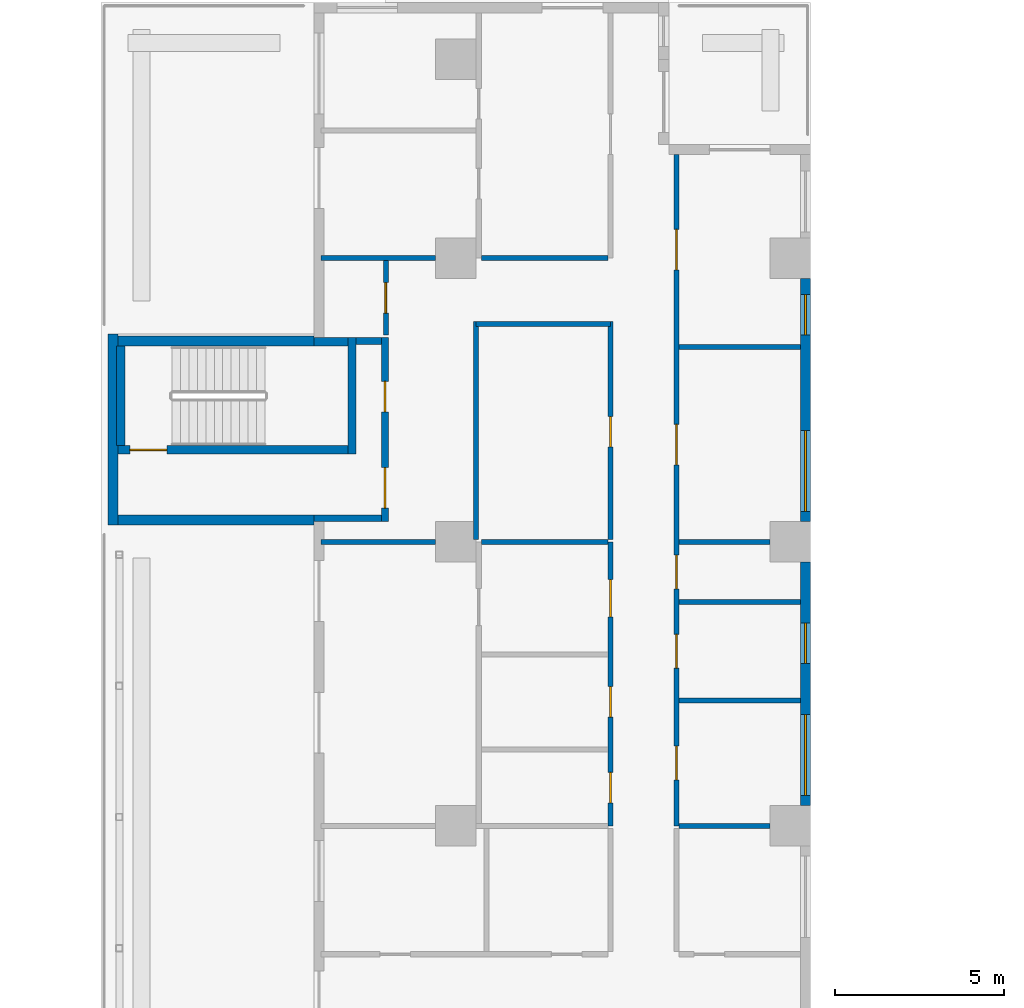
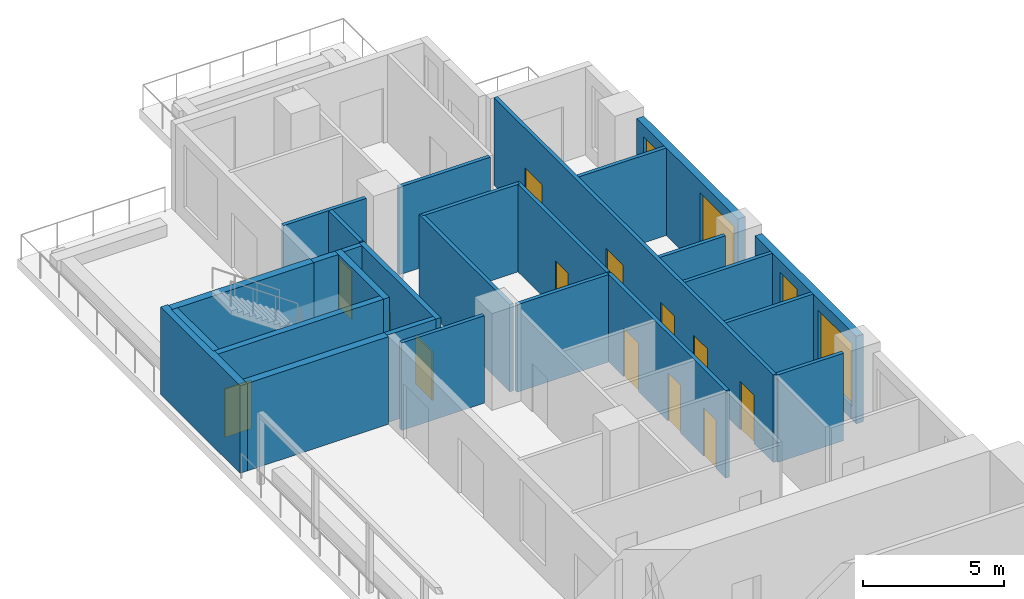
# One storey, part 10 of 18: 27 walls, 13 doors, 4 windows, 17 openings.
"""IFC4 building model written with IfcOpenShell, lengths in metres."""

from ifc_helpers import new_model, si_unit, direction, frame, frame_2d, origin, place, context, subcontext, project, spatial, rectangle, extrude, source, transform, mapped, material, layer, layer_set, type_object, element, fill, save


model = new_model("IFC4")

# Units and contexts
model_context = context("Model", 3, precision=1e-05, world=origin(), true_north=direction((0.0, 1.0)))
body_context = subcontext(model_context, "Body", "Model", "MODEL_VIEW")
ifc_project = project(units=[si_unit("LENGTHUNIT", "METRE"), si_unit("AREAUNIT", "SQUARE_METRE"), si_unit("VOLUMEUNIT", "CUBIC_METRE"), si_unit("PLANEANGLEUNIT", "RADIAN"), si_unit("MASSUNIT", "GRAM", prefix="KILO")], contexts=[model_context])

# Site, building, storey
site_placement = place(None, origin())
site = spatial("IfcSite", under=ifc_project, at=site_placement, CompositionType="ELEMENT")
building_placement = place(site_placement, origin())
building = spatial("IfcBuilding", under=site, at=building_placement, Name="Aurelian Terraces", CompositionType="ELEMENT")
storey_placement = place(building_placement, frame((0.0, 0.0, 99.3)))
storey = spatial("IfcBuildingStorey", under=building, at=storey_placement, Name="L21", CompositionType="ELEMENT", Elevation=99.3)

# Wall
ifc_material_1 = material(Name="Gypsum board on steel studs", Category="steel")
ifc_layer_1 = layer(ifc_material_1, 0.2)
ifc_layer_set_1 = layer_set([ifc_layer_1], Name="Core partition 200")
wall_type_1 = type_object("IfcWallType", Name="Core partition 200", PredefinedType="PARTITIONING", material=ifc_layer_set_1)
wall_1_placement = place(storey_placement, frame((6.3, 38.5, 0.0), z_axis=(0.0, 0.0, 1.0), x_axis=(1.0, 0.0, 0.0)))
element("IfcWall", 1, at=wall_1_placement, inside=storey, type_object=wall_type_1, Name="L21 core wall ST-S3-VW", PredefinedType="PARTITIONING", context=body_context, shape_type="SweptSolid", body=[
    extrude(rectangle(XDim=2.0, YDim=0.2, at=frame_2d((1.0, 0.0))), origin(), (0.0, 0.0, 1.0), 3.8),
])

# Wall, openings, doors
ifc_layer_2 = layer(ifc_material_1, 0.15)
ifc_layer_set_2 = layer_set([ifc_layer_2], Name="Fire partition 150")
wall_type_2 = type_object("IfcWallType", Name="Fire partition 150", PredefinedType="PARTITIONING", material=ifc_layer_set_2)
wall_2_placement = place(storey_placement, frame((17.025, 49.26, 0.0), z_axis=(0.0, 0.0, 1.0), x_axis=(0.0, -1.0, 0.0)))
wall_2 = element("IfcWall", 2, at=wall_2_placement, inside=storey, type_object=wall_type_2, Name="Corridor wall", PredefinedType="PARTITIONING", context=body_context, shape_type="SweptSolid", body=[
    extrude(rectangle(XDim=19.86, YDim=0.15, at=frame_2d((9.93, 0.0))), origin(), (0.0, 0.0, 1.0), 3.8),
])
shared_shape_1 = source(origin(), body_context, "Body", "SweptSolid", [
    extrude(rectangle(XDim=1.0, YDim=2.1, at=frame_2d((0.5, 1.05))), frame((0.0, 0.085, 0.0), z_axis=(0.0, -1.0, 0.0), x_axis=(1.0, 0.0, 0.0)), (0.0, 0.0, 1.0), 0.17),
])
opening_1_placement = place(wall_2_placement, frame((17.5033, 0.0, 0.0)))
opening_1 = element("IfcOpeningElement", 3, at=opening_1_placement, cuts=wall_2, Name="Opening 721036", PredefinedType="OPENING", context=body_context, shape_type="MappedRepresentation", body=[
    mapped(shared_shape_1, transform((0.0, 0.0, 0.0), scale=1.0)),
])
opening_2_placement = place(wall_2_placement, frame((14.1914, 0.0, 0.0)))
opening_2 = element("IfcOpeningElement", 4, at=opening_2_placement, cuts=wall_2, Name="Opening 721037", PredefinedType="OPENING", context=body_context, shape_type="MappedRepresentation", body=[
    mapped(shared_shape_1, transform((0.0, 0.0, 0.0), scale=1.0)),
])
opening_3_placement = place(wall_2_placement, frame((11.848, 0.0, 0.0)))
opening_3 = element("IfcOpeningElement", 5, at=opening_3_placement, cuts=wall_2, Name="Opening 721038", PredefinedType="OPENING", context=body_context, shape_type="MappedRepresentation", body=[
    mapped(shared_shape_1, transform((0.0, 0.0, 0.0), scale=1.0)),
])
shared_shape_2 = source(origin(), body_context, "Body", "SweptSolid", [
    extrude(rectangle(XDim=1.2, YDim=2.1, at=frame_2d((0.6, 1.05))), frame((0.0, 0.085, 0.0), z_axis=(0.0, -1.0, 0.0), x_axis=(1.0, 0.0, 0.0)), (0.0, 0.0, 1.0), 0.17),
])
opening_4_placement = place(wall_2_placement, frame((7.9762, 0.0, 0.0)))
opening_4 = element("IfcOpeningElement", 6, at=opening_4_placement, cuts=wall_2, Name="Opening 721039", PredefinedType="OPENING", context=body_context, shape_type="MappedRepresentation", body=[
    mapped(shared_shape_2, transform((0.0, 0.0, 0.0), scale=1.0)),
])
opening_5_placement = place(wall_2_placement, frame((2.2088, 0.0, 0.0)))
opening_5 = element("IfcOpeningElement", 7, at=opening_5_placement, cuts=wall_2, Name="Opening 721040", PredefinedType="OPENING", context=body_context, shape_type="MappedRepresentation", body=[
    mapped(shared_shape_2, transform((0.0, 0.0, 0.0), scale=1.0)),
])
ifc_material_2 = material(Name="Timber door leaf", Category="wood")
door_type_1 = type_object("IfcDoorType", Name="Room door 1000x2100 right", OperationType="SINGLE_SWING_RIGHT", PredefinedType="DOOR", material=ifc_material_2)
shared_shape_3 = source(origin(), body_context, "Body", "SweptSolid", [
    extrude(rectangle(XDim=1.0, YDim=2.1, at=frame_2d((0.5, 1.05))), frame((0.0, 0.025, 0.0), z_axis=(0.0, -1.0, 0.0), x_axis=(1.0, 0.0, 0.0)), (0.0, 0.0, 1.0), 0.05),
])
door_1_placement = place(opening_1_placement, origin())
door_1 = element("IfcDoor", 8, at=door_1_placement, inside=storey, type_object=door_type_1, Name="Door 721036", OperationType="SINGLE_SWING_RIGHT", OverallHeight=2.1, OverallWidth=1.0, PredefinedType="DOOR", context=body_context, shape_type="MappedRepresentation", body=[
    mapped(shared_shape_3, transform((0.0, 0.0, 0.0), scale=1.0)),
])
fill(opening_1, door_1)
door_type_2 = type_object("IfcDoorType", Name="Room door 1000x2100 left", OperationType="SINGLE_SWING_LEFT", PredefinedType="DOOR", material=ifc_material_2)
door_2_placement = place(opening_2_placement, origin())
door_2 = element("IfcDoor", 9, at=door_2_placement, inside=storey, type_object=door_type_2, Name="Door 721037", OperationType="SINGLE_SWING_LEFT", OverallHeight=2.1, OverallWidth=1.0, PredefinedType="DOOR", context=body_context, shape_type="MappedRepresentation", body=[
    mapped(shared_shape_3, transform((0.0, 0.0, 0.0), scale=1.0)),
])
fill(opening_2, door_2)
door_3_placement = place(opening_3_placement, origin())
door_3 = element("IfcDoor", 10, at=door_3_placement, inside=storey, type_object=door_type_1, Name="Door 721038", OperationType="SINGLE_SWING_RIGHT", OverallHeight=2.1, OverallWidth=1.0, PredefinedType="DOOR", context=body_context, shape_type="MappedRepresentation", body=[
    mapped(shared_shape_3, transform((0.0, 0.0, 0.0), scale=1.0)),
])
fill(opening_3, door_3)
door_type_3 = type_object("IfcDoorType", Name="Room door 1200x2100 right", OperationType="SINGLE_SWING_RIGHT", PredefinedType="DOOR", material=ifc_material_2)
shared_shape_4 = source(origin(), body_context, "Body", "SweptSolid", [
    extrude(rectangle(XDim=1.2, YDim=2.1, at=frame_2d((0.6, 1.05))), frame((0.0, 0.025, 0.0), z_axis=(0.0, -1.0, 0.0), x_axis=(1.0, 0.0, 0.0)), (0.0, 0.0, 1.0), 0.05),
])
door_4_placement = place(opening_4_placement, origin())
door_4 = element("IfcDoor", 11, at=door_4_placement, inside=storey, type_object=door_type_3, Name="Door 721039", OperationType="SINGLE_SWING_RIGHT", OverallHeight=2.1, OverallWidth=1.2, PredefinedType="DOOR", context=body_context, shape_type="MappedRepresentation", body=[
    mapped(shared_shape_4, transform((0.0, 0.0, 0.0), scale=1.0)),
])
fill(opening_4, door_4)
door_type_4 = type_object("IfcDoorType", Name="Room door 1200x2100 left", OperationType="SINGLE_SWING_LEFT", PredefinedType="DOOR", material=ifc_material_2)
door_5_placement = place(opening_5_placement, origin())
door_5 = element("IfcDoor", 12, at=door_5_placement, inside=storey, type_object=door_type_4, Name="Door 721040", OperationType="SINGLE_SWING_LEFT", OverallHeight=2.1, OverallWidth=1.2, PredefinedType="DOOR", context=body_context, shape_type="MappedRepresentation", body=[
    mapped(shared_shape_4, transform((0.0, 0.0, 0.0), scale=1.0)),
])
fill(opening_5, door_5)

# Walls
ifc_material_3 = material(Name="Concrete fc' 40 MPa", Category="concrete")
ifc_layer_3 = layer(ifc_material_3, 0.3)
ifc_layer_set_3 = layer_set([ifc_layer_3], Name="STAIR BAY WALL 300")
wall_type_3 = type_object("IfcWallType", Name="STAIR BAY WALL 300", PredefinedType="SOLIDWALL", material=ifc_layer_set_3)
wall_3_placement = place(storey_placement, frame((6.3, 43.75, 0.0), z_axis=(0.0, 0.0, 1.0), x_axis=(-1.0, 0.0, 0.0)))
element("IfcWall", 13, at=wall_3_placement, inside=storey, type_object=wall_type_3, Name="Stair bay wall L21 F17.32", PredefinedType="SOLIDWALL", context=body_context, shape_type="SweptSolid", body=[
    extrude(rectangle(XDim=6.1, YDim=0.3, at=frame_2d((3.05, 0.0))), origin(), (0.0, 0.0, 1.0), 3.8),
])
wall_4_placement = place(storey_placement, frame((0.35, 43.95, 0.0), z_axis=(0.0, 0.0, 1.0), x_axis=(0.0, -1.0, 0.0)))
element("IfcWall", 14, at=wall_4_placement, inside=storey, type_object=wall_type_3, Name="Stair bay wall L21 F18.33", PredefinedType="SOLIDWALL", context=body_context, shape_type="SweptSolid", body=[
    extrude(rectangle(XDim=5.65, YDim=0.3, at=frame_2d((2.825, 0.0))), origin(), (0.0, 0.0, 1.0), 3.8),
])
ifc_layer_4 = layer(ifc_material_3, 0.25)
ifc_layer_set_4 = layer_set([ifc_layer_4], Name="Stair enclosure wall 250")
wall_type_4 = type_object("IfcWallType", Name="Stair enclosure wall 250", PredefinedType="SOLIDWALL", material=ifc_layer_set_4)
wall_5_placement = place(storey_placement, frame((6.3, 43.725, 0.0), z_axis=(0.0, 0.0, 1.0), x_axis=(1.0, 0.0, 0.0)))
element("IfcWall", 15, at=wall_5_placement, inside=storey, type_object=wall_type_4, Name="L21 core wall ST-S3-E", PredefinedType="SOLIDWALL", context=body_context, shape_type="SweptSolid", body=[
    extrude(rectangle(XDim=1.0, YDim=0.25, at=frame_2d((0.5, 0.0))), origin(), (0.0, 0.0, 1.0), 3.8),
])

# Wall, openings, windows
ifc_material_4 = material(Name="Terracotta rainscreen cladding", Category="masonry")
ifc_layer_5 = layer(ifc_material_4, 0.3)
ifc_layer_set_5 = layer_set([ifc_layer_5], Name="EW-300")
wall_type_5 = type_object("IfcWallType", Name="EW-300", PredefinedType="STANDARD", material=ifc_layer_set_5)
shared_shape_5 = source(origin(), body_context, "Body", "SweptSolid", [
    extrude(rectangle(XDim=7.2, YDim=0.3, at=frame_2d((3.6, 0.0))), origin(), (0.0, 0.0, 1.0), 3.8),
])
wall_6_placement = place(storey_placement, frame((20.85, 30.0, 0.0), z_axis=(0.0, 0.0, 1.0), x_axis=(0.0, 1.0, 0.0)))
wall_6 = element("IfcWall", 16, at=wall_6_placement, inside=storey, type_object=wall_type_5, Name="External wall L21 F12.24", PredefinedType="STANDARD", context=body_context, shape_type="MappedRepresentation", body=[
    mapped(shared_shape_5, transform((0.0, 0.0, 0.0), scale=1.0)),
])
shared_shape_6 = source(origin(), body_context, "Body", "SweptSolid", [
    extrude(rectangle(XDim=2.4, YDim=2.7, at=frame_2d((1.2, 1.35))), frame((0.0, 0.16, 0.0), z_axis=(0.0, -1.0, 0.0), x_axis=(1.0, 0.0, 0.0)), (0.0, 0.0, 1.0), 0.32),
])
opening_6_placement = place(wall_6_placement, frame((0.3, 0.0, 0.6)))
opening_6 = element("IfcOpeningElement", 17, at=opening_6_placement, cuts=wall_6, Name="Opening W2427", PredefinedType="OPENING", context=body_context, shape_type="MappedRepresentation", body=[
    mapped(shared_shape_6, transform((0.0, 0.0, 0.0), scale=1.0)),
])
shared_shape_7 = source(origin(), body_context, "Body", "SweptSolid", [
    extrude(rectangle(XDim=1.2, YDim=2.7, at=frame_2d((0.6, 1.35))), frame((0.0, 0.16, 0.0), z_axis=(0.0, -1.0, 0.0), x_axis=(1.0, 0.0, 0.0)), (0.0, 0.0, 1.0), 0.32),
])
opening_7_placement = place(wall_6_placement, frame((4.1995, 0.0, 0.6)))
opening_7 = element("IfcOpeningElement", 18, at=opening_7_placement, cuts=wall_6, Name="Opening W1227", PredefinedType="OPENING", context=body_context, shape_type="MappedRepresentation", body=[
    mapped(shared_shape_7, transform((0.0, 0.0, 0.0), scale=1.0)),
])
ifc_material_5 = material(Name="Clear glazing", Category="glass")
window_type_1 = type_object("IfcWindowType", Name="W-2400x2700", PartitioningType="SINGLE_PANEL", PredefinedType="WINDOW", material=ifc_material_5)
shared_shape_8 = source(origin(), body_context, "Body", "SweptSolid", [
    extrude(rectangle(XDim=2.4, YDim=2.7, at=frame_2d((1.2, 1.35))), frame((0.0, 0.03, 0.0), z_axis=(0.0, -1.0, 0.0), x_axis=(1.0, 0.0, 0.0)), (0.0, 0.0, 1.0), 0.06),
])
window_1_placement = place(opening_6_placement, origin())
window_1 = element("IfcWindow", 19, at=window_1_placement, inside=storey, type_object=window_type_1, Name="Window L21 L21-F12-24-0", OverallHeight=2.7, OverallWidth=2.4, PartitioningType="SINGLE_PANEL", PredefinedType="WINDOW", context=body_context, shape_type="MappedRepresentation", body=[
    mapped(shared_shape_8, transform((0.0, 0.0, 0.0), scale=1.0)),
])
fill(opening_6, window_1)
window_type_2 = type_object("IfcWindowType", Name="W-1200x2700", PartitioningType="SINGLE_PANEL", PredefinedType="WINDOW", material=ifc_material_5)
shared_shape_9 = source(origin(), body_context, "Body", "SweptSolid", [
    extrude(rectangle(XDim=1.2, YDim=2.7, at=frame_2d((0.6, 1.35))), frame((0.0, 0.03, 0.0), z_axis=(0.0, -1.0, 0.0), x_axis=(1.0, 0.0, 0.0)), (0.0, 0.0, 1.0), 0.06),
])
window_2_placement = place(opening_7_placement, origin())
window_2 = element("IfcWindow", 20, at=window_2_placement, inside=storey, type_object=window_type_2, Name="Window L21 L21-F12-24-G0-33", OverallHeight=2.7, OverallWidth=1.2, PartitioningType="SINGLE_PANEL", PredefinedType="WINDOW", context=body_context, shape_type="MappedRepresentation", body=[
    mapped(shared_shape_9, transform((0.0, 0.0, 0.0), scale=1.0)),
])
fill(opening_7, window_2)

wall_7_placement = place(storey_placement, frame((20.85, 38.4, 0.0), z_axis=(0.0, 0.0, 1.0), x_axis=(0.0, 1.0, 0.0)))
wall_7 = element("IfcWall", 21, at=wall_7_placement, inside=storey, type_object=wall_type_5, Name="External wall L21 F12.25", PredefinedType="STANDARD", context=body_context, shape_type="MappedRepresentation", body=[
    mapped(shared_shape_5, transform((0.0, 0.0, 0.0), scale=1.0)),
])
opening_8_placement = place(wall_7_placement, frame((0.3, 0.0, 0.6)))
opening_8 = element("IfcOpeningElement", 22, at=opening_8_placement, cuts=wall_7, Name="Opening W2427", PredefinedType="OPENING", context=body_context, shape_type="MappedRepresentation", body=[
    mapped(shared_shape_6, transform((0.0, 0.0, 0.0), scale=1.0)),
])
opening_9_placement = place(wall_7_placement, frame((5.5215, 0.0, 0.6)))
opening_9 = element("IfcOpeningElement", 23, at=opening_9_placement, cuts=wall_7, Name="Opening W1227", PredefinedType="OPENING", context=body_context, shape_type="MappedRepresentation", body=[
    mapped(shared_shape_7, transform((0.0, 0.0, 0.0), scale=1.0)),
])
window_3_placement = place(opening_8_placement, origin())
window_3 = element("IfcWindow", 24, at=window_3_placement, inside=storey, type_object=window_type_1, Name="Window L21 L21-F12-25-0", OverallHeight=2.7, OverallWidth=2.4, PartitioningType="SINGLE_PANEL", PredefinedType="WINDOW", context=body_context, shape_type="MappedRepresentation", body=[
    mapped(shared_shape_8, transform((0.0, 0.0, 0.0), scale=1.0)),
])
fill(opening_8, window_3)
window_4_placement = place(opening_9_placement, origin())
window_4 = element("IfcWindow", 25, at=window_4_placement, inside=storey, type_object=window_type_2, Name="Window L21 L21-F12-25-1", OverallHeight=2.7, OverallWidth=1.2, PartitioningType="SINGLE_PANEL", PredefinedType="WINDOW", context=body_context, shape_type="MappedRepresentation", body=[
    mapped(shared_shape_9, transform((0.0, 0.0, 0.0), scale=1.0)),
])
fill(opening_9, window_4)

# Wall
shared_shape_10 = source(origin(), body_context, "Body", "SweptSolid", [
    extrude(rectangle(XDim=6.1, YDim=0.3, at=frame_2d((3.05, 0.0))), origin(), (0.0, 0.0, 1.0), 3.8),
])
wall_8_placement = place(storey_placement, frame((0.2, 38.45, 0.0), z_axis=(0.0, 0.0, 1.0), x_axis=(1.0, 0.0, 0.0)))
element("IfcWall", 26, at=wall_8_placement, inside=storey, type_object=wall_type_3, Name="Stair bay wall L21 F19.34", PredefinedType="SOLIDWALL", context=body_context, shape_type="MappedRepresentation", body=[
    mapped(shared_shape_10, transform((0.0, 0.0, 0.0), scale=1.0)),
])

# Wall, opening, door
shared_shape_11 = source(origin(), body_context, "Body", "SweptSolid", [
    extrude(rectangle(XDim=7.0, YDim=0.25, at=frame_2d((3.5, 0.0))), origin(), (0.0, 0.0, 1.0), 3.8),
])
wall_9_placement = place(storey_placement, frame((0.3, 40.525, 0.0), z_axis=(0.0, 0.0, 1.0), x_axis=(1.0, 0.0, 0.0)))
wall_9 = element("IfcWall", 27, at=wall_9_placement, inside=storey, type_object=wall_type_4, Name="L21 core wall ST-S3-W", PredefinedType="SOLIDWALL", context=body_context, shape_type="MappedRepresentation", body=[
    mapped(shared_shape_11, transform((0.0, 0.0, 0.0), scale=1.0)),
])
shared_shape_12 = source(origin(), body_context, "Body", "SweptSolid", [
    extrude(rectangle(XDim=1.1, YDim=2.1, at=frame_2d((0.55, 1.05))), frame((0.0, 0.135, 0.0), z_axis=(0.0, -1.0, 0.0), x_axis=(1.0, 0.0, 0.0)), (0.0, 0.0, 1.0), 0.27),
])
opening_10_placement = place(wall_9_placement, frame((0.55, 0.0, 0.0)))
opening_10 = element("IfcOpeningElement", 28, at=opening_10_placement, cuts=wall_9, Name="Opening 62417", PredefinedType="OPENING", context=body_context, shape_type="MappedRepresentation", body=[
    mapped(shared_shape_12, transform((0.0, 0.0, 0.0), scale=1.0)),
])
ifc_material_6 = material(Name="Steel door leaf", Category="steel")
door_type_5 = type_object("IfcDoorType", Name="Core fire door 1100x2100 right", OperationType="SINGLE_SWING_RIGHT", PredefinedType="DOOR", material=ifc_material_6)
shared_shape_13 = source(origin(), body_context, "Body", "SweptSolid", [
    extrude(rectangle(XDim=1.1, YDim=2.1, at=frame_2d((0.55, 1.05))), frame((0.0, 0.025, 0.0), z_axis=(0.0, -1.0, 0.0), x_axis=(1.0, 0.0, 0.0)), (0.0, 0.0, 1.0), 0.05),
])
door_6_placement = place(opening_10_placement, origin())
door_6 = element("IfcDoor", 29, at=door_6_placement, inside=storey, type_object=door_type_5, Name="Stair door 62417", OperationType="SINGLE_SWING_RIGHT", OverallHeight=2.1, OverallWidth=1.1, PredefinedType="DOOR", context=body_context, shape_type="MappedRepresentation", body=[
    mapped(shared_shape_13, transform((0.0, 0.0, 0.0), scale=1.0)),
])
fill(opening_10, door_6)

# Walls
shared_shape_14 = source(origin(), body_context, "Body", "SweptSolid", [
    extrude(rectangle(XDim=3.45, YDim=0.25, at=frame_2d((1.725, 0.0))), origin(), (0.0, 0.0, 1.0), 3.8),
])
wall_10_placement = place(storey_placement, frame((7.425, 40.4, 0.0), z_axis=(0.0, 0.0, 1.0), x_axis=(0.0, 1.0, 0.0)))
element("IfcWall", 30, at=wall_10_placement, inside=storey, type_object=wall_type_4, Name="L21 core wall ST-S3-N", PredefinedType="SOLIDWALL", context=body_context, shape_type="MappedRepresentation", body=[
    mapped(shared_shape_14, transform((0.0, 0.0, 0.0), scale=1.0)),
])
shared_shape_15 = source(origin(), body_context, "Body", "SweptSolid", [
    extrude(rectangle(XDim=2.95, YDim=0.25, at=frame_2d((1.475, 0.0))), origin(), (0.0, 0.0, 1.0), 3.8),
])
wall_11_placement = place(storey_placement, frame((0.575, 40.65, 0.0), z_axis=(0.0, 0.0, 1.0), x_axis=(0.0, 1.0, 0.0)))
element("IfcWall", 31, at=wall_11_placement, inside=storey, type_object=wall_type_4, Name="L21 core wall ST-S3-SS", PredefinedType="SOLIDWALL", context=body_context, shape_type="MappedRepresentation", body=[
    mapped(shared_shape_15, transform((0.0, 0.0, 0.0), scale=1.0)),
])

# Wall, openings, doors
shared_shape_16 = source(origin(), body_context, "Body", "SweptSolid", [
    extrude(rectangle(XDim=5.45, YDim=0.2, at=frame_2d((2.725, 0.0))), origin(), (0.0, 0.0, 1.0), 3.8),
])
wall_12_placement = place(storey_placement, frame((8.4, 38.4, 0.0), z_axis=(0.0, 0.0, 1.0), x_axis=(0.0, 1.0, 0.0)))
wall_12 = element("IfcWall", 32, at=wall_12_placement, inside=storey, type_object=wall_type_1, Name="L21 core wall ST-S3-BN", PredefinedType="PARTITIONING", context=body_context, shape_type="MappedRepresentation", body=[
    mapped(shared_shape_16, transform((0.0, 0.0, 0.0), scale=1.0)),
])
shared_shape_17 = source(origin(), body_context, "Body", "SweptSolid", [
    extrude(rectangle(XDim=1.2, YDim=2.1, at=frame_2d((0.6, 1.05))), frame((0.0, 0.11, 0.0), z_axis=(0.0, -1.0, 0.0), x_axis=(1.0, 0.0, 0.0)), (0.0, 0.0, 1.0), 0.22),
])
opening_11_placement = place(wall_12_placement, frame((0.4, 0.0, 0.0)))
opening_11 = element("IfcOpeningElement", 33, at=opening_11_placement, cuts=wall_12, Name="Opening 62418", PredefinedType="OPENING", context=body_context, shape_type="MappedRepresentation", body=[
    mapped(shared_shape_17, transform((0.0, 0.0, 0.0), scale=1.0)),
])
shared_shape_18 = source(origin(), body_context, "Body", "SweptSolid", [
    extrude(rectangle(XDim=0.9, YDim=2.1, at=frame_2d((0.45, 1.05))), frame((0.0, 0.11, 0.0), z_axis=(0.0, -1.0, 0.0), x_axis=(1.0, 0.0, 0.0)), (0.0, 0.0, 1.0), 0.22),
])
opening_12_placement = place(wall_12_placement, frame((3.25, 0.0, 0.0)))
opening_12 = element("IfcOpeningElement", 34, at=opening_12_placement, cuts=wall_12, Name="Opening 62419", PredefinedType="OPENING", context=body_context, shape_type="MappedRepresentation", body=[
    mapped(shared_shape_18, transform((0.0, 0.0, 0.0), scale=1.0)),
])
door_type_6 = type_object("IfcDoorType", Name="Core riser door 900x2100 right", OperationType="SINGLE_SWING_RIGHT", PredefinedType="DOOR", material=ifc_material_6)
shared_shape_19 = source(origin(), body_context, "Body", "SweptSolid", [
    extrude(rectangle(XDim=0.9, YDim=2.1, at=frame_2d((0.45, 1.05))), frame((0.0, 0.025, 0.0), z_axis=(0.0, -1.0, 0.0), x_axis=(1.0, 0.0, 0.0)), (0.0, 0.0, 1.0), 0.05),
])
door_7_placement = place(opening_12_placement, origin())
door_7 = element("IfcDoor", 35, at=door_7_placement, inside=storey, type_object=door_type_6, Name="Riser door 62419", OperationType="SINGLE_SWING_RIGHT", OverallHeight=2.1, OverallWidth=0.9, PredefinedType="DOOR", context=body_context, shape_type="MappedRepresentation", body=[
    mapped(shared_shape_19, transform((0.0, 0.0, 0.0), scale=1.0)),
])
fill(opening_12, door_7)
door_type_7 = type_object("IfcDoorType", Name="Core fire door 1200x2100", OperationType="SINGLE_SWING_LEFT", PredefinedType="DOOR", material=ifc_material_6)
door_8_placement = place(opening_11_placement, origin())
door_8 = element("IfcDoor", 36, at=door_8_placement, inside=storey, type_object=door_type_7, Name="Vestibule door 62418", OperationType="SINGLE_SWING_LEFT", OverallHeight=2.1, OverallWidth=1.2, PredefinedType="DOOR", context=body_context, shape_type="MappedRepresentation", body=[
    mapped(shared_shape_4, transform((0.0, 0.0, 0.0), scale=1.0)),
])
fill(opening_11, door_8)

# Walls
shared_shape_20 = source(origin(), body_context, "Body", "SweptSolid", [
    extrude(rectangle(XDim=0.75, YDim=0.2, at=frame_2d((0.375, 0.0))), origin(), (0.0, 0.0, 1.0), 3.8),
])
wall_13_placement = place(storey_placement, frame((7.55, 43.75, 0.0), z_axis=(0.0, 0.0, 1.0), x_axis=(1.0, 0.0, 0.0)))
element("IfcWall", 37, at=wall_13_placement, inside=storey, type_object=wall_type_1, Name="L21 core wall ST-S3-RE", PredefinedType="PARTITIONING", context=body_context, shape_type="MappedRepresentation", body=[
    mapped(shared_shape_20, transform((0.0, 0.0, 0.0), scale=1.0)),
])
ifc_layer_6 = layer(ifc_material_1, 0.15)
ifc_layer_set_6 = layer_set([ifc_layer_6], Name="Partition 150")
wall_type_6 = type_object("IfcWallType", Name="Partition 150", PredefinedType="PARTITIONING", material=ifc_layer_set_6)
shared_shape_21 = source(origin(), body_context, "Body", "SweptSolid", [
    extrude(rectangle(XDim=6.45, YDim=0.15, at=frame_2d((3.225, 0.0))), origin(), (0.0, 0.0, 1.0), 3.8),
])
wall_14_placement = place(storey_placement, frame((11.1, 44.325, 0.0), z_axis=(0.0, 0.0, 1.0), x_axis=(0.0, -1.0, 0.0)))
element("IfcWall", 38, at=wall_14_placement, inside=storey, type_object=wall_type_6, Name="Partition", PredefinedType="PARTITIONING", context=body_context, shape_type="MappedRepresentation", body=[
    mapped(shared_shape_21, transform((0.0, 0.0, 0.0), scale=1.0)),
])

# Wall, opening, door
wall_15_placement = place(storey_placement, frame((15.075, 37.875, 0.0), z_axis=(0.0, 0.0, 1.0), x_axis=(0.0, 1.0, 0.0)))
wall_15 = element("IfcWall", 39, at=wall_15_placement, inside=storey, type_object=wall_type_2, Name="Corridor wall", PredefinedType="PARTITIONING", context=body_context, shape_type="MappedRepresentation", body=[
    mapped(shared_shape_21, transform((0.0, 0.0, 0.0), scale=1.0)),
])
shared_shape_22 = source(origin(), body_context, "Body", "SweptSolid", [
    extrude(rectangle(XDim=0.9, YDim=2.1, at=frame_2d((0.45, 1.05))), frame((0.0, 0.085, 0.0), z_axis=(0.0, -1.0, 0.0), x_axis=(1.0, 0.0, 0.0)), (0.0, 0.0, 1.0), 0.17),
])
opening_13_placement = place(wall_15_placement, frame((2.7375, 0.0, 0.0)))
opening_13 = element("IfcOpeningElement", 40, at=opening_13_placement, cuts=wall_15, Name="Opening 721027", PredefinedType="OPENING", context=body_context, shape_type="MappedRepresentation", body=[
    mapped(shared_shape_22, transform((0.0, 0.0, 0.0), scale=1.0)),
])
door_type_8 = type_object("IfcDoorType", Name="Room door 900x2100 left", OperationType="SINGLE_SWING_LEFT", PredefinedType="DOOR", material=ifc_material_2)
door_9_placement = place(opening_13_placement, origin())
door_9 = element("IfcDoor", 41, at=door_9_placement, inside=storey, type_object=door_type_8, Name="Door 721027", OperationType="SINGLE_SWING_LEFT", OverallHeight=2.1, OverallWidth=0.9, PredefinedType="DOOR", context=body_context, shape_type="MappedRepresentation", body=[
    mapped(shared_shape_19, transform((0.0, 0.0, 0.0), scale=1.0)),
])
fill(opening_13, door_9)

# Walls
shared_shape_23 = source(origin(), body_context, "Body", "SweptSolid", [
    extrude(rectangle(XDim=3.75, YDim=0.15, at=frame_2d((1.875, 0.0))), origin(), (0.0, 0.0, 1.0), 3.8),
])
for number, where, z_axis, x_axis, name in (
    (42, (15.0, 37.8, 0.0), (0.0, 0.0, 1.0), (-1.0, 0.0, 0.0), "Partition"),
    (43, (15.0, 46.2, 0.0), (0.0, 0.0, 1.0), (-1.0, 0.0, 0.0), "Partition"),
):
    element("IfcWall", number, at=place(storey_placement, frame(where, z_axis=z_axis, x_axis=x_axis)), inside=storey, type_object=wall_type_6, Name=name, PredefinedType="PARTITIONING", context=body_context, shape_type="MappedRepresentation", body=[
        mapped(shared_shape_23, transform((0.0, 0.0, 0.0), scale=1.0)),
    ])
shared_shape_24 = source(origin(), body_context, "Body", "SweptSolid", [
    extrude(rectangle(XDim=3.6, YDim=0.15, at=frame_2d((1.8, 0.0))), origin(), (0.0, 0.0, 1.0), 3.8),
])
for number, where, z_axis, x_axis, name in (
    (44, (17.1, 33.1133, 0.0), (0.0, 0.0, 1.0), (1.0, 0.0, 0.0), "Partition"),
    (45, (17.1, 36.024, 0.0), (0.0, 0.0, 1.0), (1.0, 0.0, 0.0), "Partition"),
    (46, (17.1, 43.5675, 0.0), (0.0, 0.0, 1.0), (1.0, 0.0, 0.0), "Partition"),
):
    element("IfcWall", number, at=place(storey_placement, frame(where, z_axis=z_axis, x_axis=x_axis)), inside=storey, type_object=wall_type_6, Name=name, PredefinedType="PARTITIONING", context=body_context, shape_type="MappedRepresentation", body=[
        mapped(shared_shape_24, transform((0.0, 0.0, 0.0), scale=1.0)),
    ])
shared_shape_25 = source(origin(), body_context, "Body", "SweptSolid", [
    extrude(rectangle(XDim=2.701, YDim=0.15, at=frame_2d((1.3505, 0.0))), origin(), (0.0, 0.0, 1.0), 3.8),
])
for number, where, z_axis, x_axis, name in (
    (47, (19.801, 29.4, 0.0), (0.0, 0.0, 1.0), (-1.0, 0.0, 0.0), "Partition"),
    (48, (19.801, 37.8, 0.0), (0.0, 0.0, 1.0), (-1.0, 0.0, 0.0), "Partition"),
):
    element("IfcWall", number, at=place(storey_placement, frame(where, z_axis=z_axis, x_axis=x_axis)), inside=storey, type_object=wall_type_6, Name=name, PredefinedType="PARTITIONING", context=body_context, shape_type="MappedRepresentation", body=[
        mapped(shared_shape_25, transform((0.0, 0.0, 0.0), scale=1.0)),
    ])

# Wall, openings, doors
shared_shape_26 = source(origin(), body_context, "Body", "SweptSolid", [
    extrude(rectangle(XDim=8.4, YDim=0.15, at=frame_2d((4.2, 0.0))), origin(), (0.0, 0.0, 1.0), 3.8),
])
wall_16_placement = place(storey_placement, frame((15.075, 29.4, 0.0), z_axis=(0.0, 0.0, 1.0), x_axis=(0.0, 1.0, 0.0)))
wall_16 = element("IfcWall", 49, at=wall_16_placement, inside=storey, type_object=wall_type_2, Name="Corridor wall", PredefinedType="PARTITIONING", context=body_context, shape_type="MappedRepresentation", body=[
    mapped(shared_shape_26, transform((0.0, 0.0, 0.0), scale=1.0)),
])
shared_shape_27 = source(origin(), body_context, "Body", "SweptSolid", [
    extrude(rectangle(XDim=1.1, YDim=2.1, at=frame_2d((0.55, 1.05))), frame((0.0, 0.085, 0.0), z_axis=(0.0, -1.0, 0.0), x_axis=(1.0, 0.0, 0.0)), (0.0, 0.0, 1.0), 0.17),
])
opening_14_placement = place(wall_16_placement, frame((6.1854, 0.0, 0.0)))
opening_14 = element("IfcOpeningElement", 50, at=opening_14_placement, cuts=wall_16, Name="Opening 721029", PredefinedType="OPENING", context=body_context, shape_type="MappedRepresentation", body=[
    mapped(shared_shape_27, transform((0.0, 0.0, 0.0), scale=1.0)),
])
opening_15_placement = place(wall_16_placement, frame((0.6822, 0.0, 0.0)))
opening_15 = element("IfcOpeningElement", 51, at=opening_15_placement, cuts=wall_16, Name="Opening 721031", PredefinedType="OPENING", context=body_context, shape_type="MappedRepresentation", body=[
    mapped(shared_shape_22, transform((0.0, 0.0, 0.0), scale=1.0)),
])
opening_16_placement = place(wall_16_placement, frame((3.2176, 0.0, 0.0)))
opening_16 = element("IfcOpeningElement", 52, at=opening_16_placement, cuts=wall_16, Name="Opening 721032", PredefinedType="OPENING", context=body_context, shape_type="MappedRepresentation", body=[
    mapped(shared_shape_22, transform((0.0, 0.0, 0.0), scale=1.0)),
])
door_type_9 = type_object("IfcDoorType", Name="Room door 900x2100 right", OperationType="SINGLE_SWING_RIGHT", PredefinedType="DOOR", material=ifc_material_2)
door_10_placement = place(opening_15_placement, origin())
door_10 = element("IfcDoor", 53, at=door_10_placement, inside=storey, type_object=door_type_9, Name="Door 721031", OperationType="SINGLE_SWING_RIGHT", OverallHeight=2.1, OverallWidth=0.9, PredefinedType="DOOR", context=body_context, shape_type="MappedRepresentation", body=[
    mapped(shared_shape_19, transform((0.0, 0.0, 0.0), scale=1.0)),
])
fill(opening_15, door_10)
door_11_placement = place(opening_16_placement, origin())
door_11 = element("IfcDoor", 54, at=door_11_placement, inside=storey, type_object=door_type_8, Name="Door 721032", OperationType="SINGLE_SWING_LEFT", OverallHeight=2.1, OverallWidth=0.9, PredefinedType="DOOR", context=body_context, shape_type="MappedRepresentation", body=[
    mapped(shared_shape_19, transform((0.0, 0.0, 0.0), scale=1.0)),
])
fill(opening_16, door_11)
door_type_10 = type_object("IfcDoorType", Name="Room door 1100x2100 right", OperationType="SINGLE_SWING_RIGHT", PredefinedType="DOOR", material=ifc_material_2)
door_12_placement = place(opening_14_placement, origin())
door_12 = element("IfcDoor", 55, at=door_12_placement, inside=storey, type_object=door_type_10, Name="Door 721029", OperationType="SINGLE_SWING_RIGHT", OverallHeight=2.1, OverallWidth=1.1, PredefinedType="DOOR", context=body_context, shape_type="MappedRepresentation", body=[
    mapped(shared_shape_13, transform((0.0, 0.0, 0.0), scale=1.0)),
])
fill(opening_14, door_12)

# Wall, opening, door
shared_shape_28 = source(origin(), body_context, "Body", "SweptSolid", [
    extrude(rectangle(XDim=2.2, YDim=0.15, at=frame_2d((1.1, 0.0))), origin(), (0.0, 0.0, 1.0), 3.8),
])
wall_17_placement = place(storey_placement, frame((8.425, 43.925, 0.0), z_axis=(0.0, 0.0, 1.0), x_axis=(0.0, 1.0, 0.0)))
wall_17 = element("IfcWall", 56, at=wall_17_placement, inside=storey, type_object=wall_type_6, Name="Partition", PredefinedType="PARTITIONING", context=body_context, shape_type="MappedRepresentation", body=[
    mapped(shared_shape_28, transform((0.0, 0.0, 0.0), scale=1.0)),
])
opening_17_placement = place(wall_17_placement, frame((0.65, 0.0, 0.0)))
opening_17 = element("IfcOpeningElement", 57, at=opening_17_placement, cuts=wall_17, Name="Opening 721028", PredefinedType="OPENING", context=body_context, shape_type="MappedRepresentation", body=[
    mapped(shared_shape_22, transform((0.0, 0.0, 0.0), scale=1.0)),
])
door_13_placement = place(opening_17_placement, origin())
door_13 = element("IfcDoor", 58, at=door_13_placement, inside=storey, type_object=door_type_8, Name="Door 721028", OperationType="SINGLE_SWING_LEFT", OverallHeight=2.1, OverallWidth=0.9, PredefinedType="DOOR", context=body_context, shape_type="MappedRepresentation", body=[
    mapped(shared_shape_19, transform((0.0, 0.0, 0.0), scale=1.0)),
])
fill(opening_17, door_13)

# Walls
shared_shape_29 = source(origin(), body_context, "Body", "SweptSolid", [
    extrude(rectangle(XDim=3.975, YDim=0.15, at=frame_2d((1.9875, 0.0))), origin(), (0.0, 0.0, 1.0), 3.8),
])
wall_18_placement = place(storey_placement, frame((15.075, 44.25, 0.0), z_axis=(0.0, 0.0, 1.0), x_axis=(-1.0, 0.0, 0.0)))
element("IfcWall", 59, at=wall_18_placement, inside=storey, type_object=wall_type_6, Name="Partition", PredefinedType="PARTITIONING", context=body_context, shape_type="MappedRepresentation", body=[
    mapped(shared_shape_29, transform((0.0, 0.0, 0.0), scale=1.0)),
])
shared_shape_30 = source(origin(), body_context, "Body", "SweptSolid", [
    extrude(rectangle(XDim=3.396, YDim=0.15, at=frame_2d((1.698, 0.0))), origin(), (0.0, 0.0, 1.0), 3.8),
])
for number, where, z_axis, x_axis, name in (
    (60, (9.901, 37.8, 0.0), (0.0, 0.0, 1.0), (-1.0, 0.0, 0.0), "Partition"),
    (61, (9.901, 46.2, 0.0), (0.0, 0.0, 1.0), (-1.0, 0.0, 0.0), "Partition"),
):
    element("IfcWall", number, at=place(storey_placement, frame(where, z_axis=z_axis, x_axis=x_axis)), inside=storey, type_object=wall_type_6, Name=name, PredefinedType="PARTITIONING", context=body_context, shape_type="MappedRepresentation", body=[
        mapped(shared_shape_30, transform((0.0, 0.0, 0.0), scale=1.0)),
    ])

save(model, "model.ifc")
